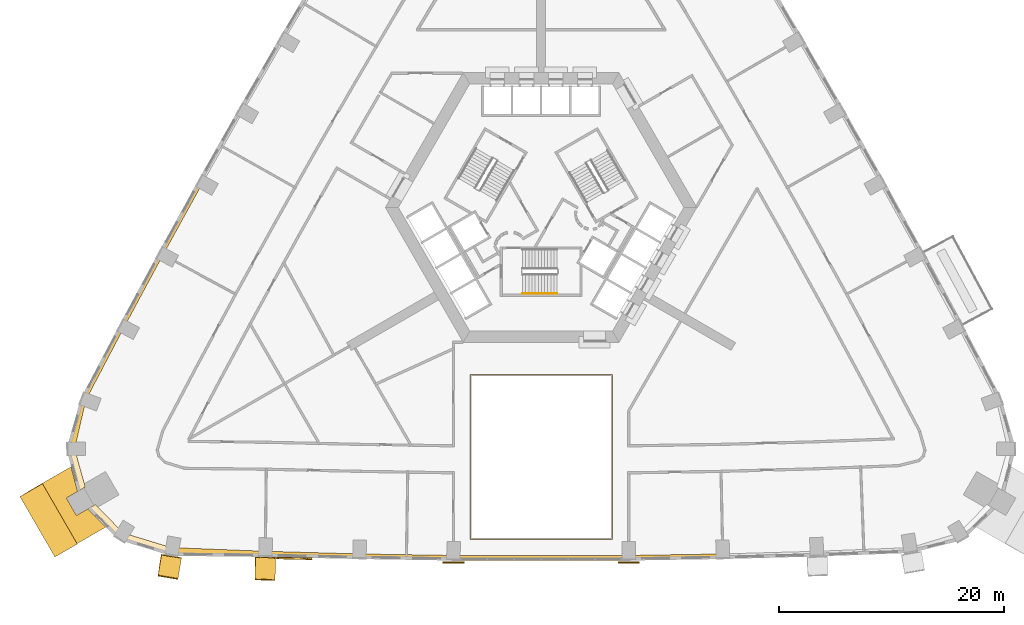
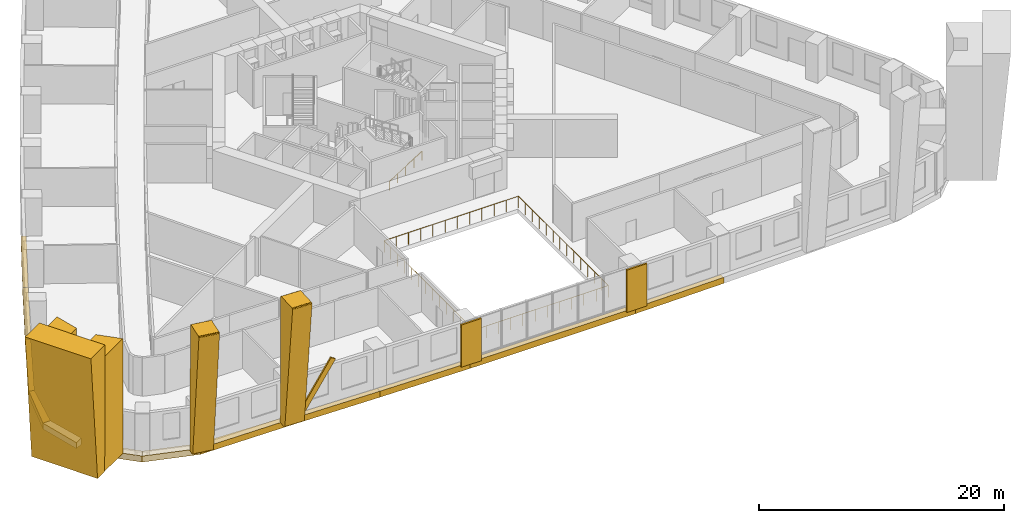
# One storey, part 13 of 16: 18 coverings, 2 railings, 1 shading device.
"""IFC4 building model written with IfcOpenShell, lengths in metres."""

from ifc_helpers import new_model, si_unit, direction, frame, origin, origin_2d, place, context, subcontext, project, spatial, polyline, rectangle, circle, outline, extrude, material, material_profile, profile_set, type_object, element, save


model = new_model("IFC4")

# Units and contexts
model_context = context("Model", 3, precision=1e-05, world=origin(), true_north=direction((0.0, 1.0)))
body_context = subcontext(model_context, "Body", "Model", "MODEL_VIEW")
ifc_project = project(units=[si_unit("LENGTHUNIT", "METRE"), si_unit("AREAUNIT", "SQUARE_METRE"), si_unit("VOLUMEUNIT", "CUBIC_METRE"), si_unit("PLANEANGLEUNIT", "RADIAN"), si_unit("MASSUNIT", "GRAM", prefix="KILO")], contexts=[model_context])

# Site, building, storey
site_placement = place(None, origin())
site = spatial("IfcSite", under=ifc_project, at=site_placement, CompositionType="ELEMENT")
building_placement = place(site_placement, origin())
building = spatial("IfcBuilding", under=site, at=building_placement, Name="Entoto Arch Interchange Tower", CompositionType="ELEMENT")
storey_placement = place(building_placement, frame((0.0, 0.0, 47.60009765625)))
storey = spatial("IfcBuildingStorey", under=building, at=storey_placement, Name="L09", CompositionType="ELEMENT", Elevation=47.60009765625)

# Railing
ifc_material_1 = material(Name="Stainless steel 1.4301", Category="steel")
railing_type_1 = type_object("IfcRailingType", Name="ATRIUM GUARD 1200 STEEL AND GLASS", PredefinedType="GUARDRAIL", material=ifc_material_1)
railing_1_placement = place(storey_placement, frame((6.320068359375, -27.030029296875, 0.0)))
element("IfcRailing", 1, at=railing_1_placement, inside=storey, type_object=railing_type_1, Name="Atrium guard L09", PredefinedType="GUARDRAIL", context=body_context, shape_type="SweptSolid", body=[
    extrude(circle(Radius=0.02392578125, at=origin_2d()), frame((0.0, 0.0, 1.17578125), z_axis=(-1.0, 0.0, 0.0), x_axis=(0.0, -1.0, 0.0)), (0.0, 0.0, 1.0), 12.64013671875),
    extrude(circle(Radius=0.02392578125, at=origin_2d()), frame((-12.64013671875, 0.0, 1.17578125), z_axis=(0.0, 1.0, 0.0), x_axis=(-1.0, 0.0, 0.0)), (0.0, 0.0, 1.0), 14.650146484375),
    extrude(circle(Radius=0.02392578125, at=origin_2d()), frame((-12.64013671875, 14.650146484375, 1.17578125), z_axis=(1.0, 0.0, 0.0), x_axis=(0.0, 1.0, 0.0)), (0.0, 0.0, 1.0), 12.64013671875),
    extrude(circle(Radius=0.02392578125, at=origin_2d()), frame((0.0, 14.650146484375, 1.17578125), z_axis=(0.0, -1.0, 0.0), x_axis=(1.0, 0.0, 0.0)), (0.0, 0.0, 1.0), 14.650146484375),
    extrude(circle(Radius=0.02099609375, at=origin_2d()), origin(), (0.0, 0.0, 1.0), 1.15185546875),
    extrude(circle(Radius=0.02099609375, at=origin_2d()), frame((-1.149169921875, 0.0, 0.0)), (0.0, 0.0, 1.0), 1.15185546875),
    extrude(circle(Radius=0.02099609375, at=origin_2d()), frame((-2.298095703125, 0.0, 0.0)), (0.0, 0.0, 1.0), 1.15185546875),
    extrude(circle(Radius=0.02099609375, at=origin_2d()), frame((-3.447265625, 0.0, 0.0)), (0.0, 0.0, 1.0), 1.15185546875),
    extrude(circle(Radius=0.02099609375, at=origin_2d()), frame((-4.596435546875, 0.0, 0.0)), (0.0, 0.0, 1.0), 1.15185546875),
    extrude(circle(Radius=0.02099609375, at=origin_2d()), frame((-5.74560546875, 0.0, 0.0)), (0.0, 0.0, 1.0), 1.15185546875),
    extrude(circle(Radius=0.02099609375, at=origin_2d()), frame((-6.89453125, 0.0, 0.0)), (0.0, 0.0, 1.0), 1.15185546875),
    extrude(circle(Radius=0.02099609375, at=origin_2d()), frame((-8.043701171875, 0.0, 0.0)), (0.0, 0.0, 1.0), 1.15185546875),
    extrude(circle(Radius=0.02099609375, at=origin_2d()), frame((-9.19287109375, 0.0, 0.0)), (0.0, 0.0, 1.0), 1.15185546875),
    extrude(circle(Radius=0.02099609375, at=origin_2d()), frame((-10.342041015625, 0.0, 0.0)), (0.0, 0.0, 1.0), 1.15185546875),
    extrude(circle(Radius=0.02099609375, at=origin_2d()), frame((-11.490966796875, 0.0, 0.0)), (0.0, 0.0, 1.0), 1.15185546875),
    extrude(circle(Radius=0.02099609375, at=origin_2d()), frame((-12.64013671875, 0.0, 0.0)), (0.0, 0.0, 1.0), 1.15185546875),
    extrude(circle(Radius=0.02099609375, at=origin_2d()), frame((-12.64013671875, 1.126953125, 0.0)), (0.0, 0.0, 1.0), 1.15185546875),
    extrude(circle(Radius=0.02099609375, at=origin_2d()), frame((-12.64013671875, 2.25390625, 0.0)), (0.0, 0.0, 1.0), 1.15185546875),
    extrude(circle(Radius=0.02099609375, at=origin_2d()), frame((-12.64013671875, 3.380859375, 0.0)), (0.0, 0.0, 1.0), 1.15185546875),
    extrude(circle(Radius=0.02099609375, at=origin_2d()), frame((-12.64013671875, 4.5078125, 0.0)), (0.0, 0.0, 1.0), 1.15185546875),
    extrude(circle(Radius=0.02099609375, at=origin_2d()), frame((-12.64013671875, 5.634765625, 0.0)), (0.0, 0.0, 1.0), 1.15185546875),
    extrude(circle(Radius=0.02099609375, at=origin_2d()), frame((-12.64013671875, 6.76171875, 0.0)), (0.0, 0.0, 1.0), 1.15185546875),
    extrude(circle(Radius=0.02099609375, at=origin_2d()), frame((-12.64013671875, 7.888427734375, 0.0)), (0.0, 0.0, 1.0), 1.15185546875),
    extrude(circle(Radius=0.02099609375, at=origin_2d()), frame((-12.64013671875, 9.015380859375, 0.0)), (0.0, 0.0, 1.0), 1.15185546875),
    extrude(circle(Radius=0.02099609375, at=origin_2d()), frame((-12.64013671875, 10.142333984375, 0.0)), (0.0, 0.0, 1.0), 1.15185546875),
    extrude(circle(Radius=0.02099609375, at=origin_2d()), frame((-12.64013671875, 11.269287109375, 0.0)), (0.0, 0.0, 1.0), 1.15185546875),
    extrude(circle(Radius=0.02099609375, at=origin_2d()), frame((-12.64013671875, 12.396240234375, 0.0)), (0.0, 0.0, 1.0), 1.15185546875),
    extrude(circle(Radius=0.02099609375, at=origin_2d()), frame((-12.64013671875, 13.523193359375, 0.0)), (0.0, 0.0, 1.0), 1.15185546875),
    extrude(circle(Radius=0.02099609375, at=origin_2d()), frame((-12.64013671875, 14.650146484375, 0.0)), (0.0, 0.0, 1.0), 1.15185546875),
    extrude(circle(Radius=0.02099609375, at=origin_2d()), frame((-11.490966796875, 14.650146484375, 0.0)), (0.0, 0.0, 1.0), 1.15185546875),
    extrude(circle(Radius=0.02099609375, at=origin_2d()), frame((-10.342041015625, 14.650146484375, 0.0)), (0.0, 0.0, 1.0), 1.15185546875),
    extrude(circle(Radius=0.02099609375, at=origin_2d()), frame((-9.19287109375, 14.650146484375, 0.0)), (0.0, 0.0, 1.0), 1.15185546875),
    extrude(circle(Radius=0.02099609375, at=origin_2d()), frame((-8.043701171875, 14.650146484375, 0.0)), (0.0, 0.0, 1.0), 1.15185546875),
    extrude(circle(Radius=0.02099609375, at=origin_2d()), frame((-6.89453125, 14.650146484375, 0.0)), (0.0, 0.0, 1.0), 1.15185546875),
    extrude(circle(Radius=0.02099609375, at=origin_2d()), frame((-5.74560546875, 14.650146484375, 0.0)), (0.0, 0.0, 1.0), 1.15185546875),
    extrude(circle(Radius=0.02099609375, at=origin_2d()), frame((-4.596435546875, 14.650146484375, 0.0)), (0.0, 0.0, 1.0), 1.15185546875),
    extrude(circle(Radius=0.02099609375, at=origin_2d()), frame((-3.447265625, 14.650146484375, 0.0)), (0.0, 0.0, 1.0), 1.15185546875),
    extrude(circle(Radius=0.02099609375, at=origin_2d()), frame((-2.298095703125, 14.650146484375, 0.0)), (0.0, 0.0, 1.0), 1.15185546875),
    extrude(circle(Radius=0.02099609375, at=origin_2d()), frame((-1.149169921875, 14.650146484375, 0.0)), (0.0, 0.0, 1.0), 1.15185546875),
    extrude(circle(Radius=0.02099609375, at=origin_2d()), frame((0.0, 14.650146484375, 0.0)), (0.0, 0.0, 1.0), 1.15185546875),
    extrude(circle(Radius=0.02099609375, at=origin_2d()), frame((0.0, 13.523193359375, 0.0)), (0.0, 0.0, 1.0), 1.15185546875),
    extrude(circle(Radius=0.02099609375, at=origin_2d()), frame((0.0, 12.396240234375, 0.0)), (0.0, 0.0, 1.0), 1.15185546875),
    extrude(circle(Radius=0.02099609375, at=origin_2d()), frame((0.0, 11.269287109375, 0.0)), (0.0, 0.0, 1.0), 1.15185546875),
    extrude(circle(Radius=0.02099609375, at=origin_2d()), frame((0.0, 10.142333984375, 0.0)), (0.0, 0.0, 1.0), 1.15185546875),
    extrude(circle(Radius=0.02099609375, at=origin_2d()), frame((0.0, 9.015380859375, 0.0)), (0.0, 0.0, 1.0), 1.15185546875),
    extrude(circle(Radius=0.02099609375, at=origin_2d()), frame((0.0, 7.888427734375, 0.0)), (0.0, 0.0, 1.0), 1.15185546875),
    extrude(circle(Radius=0.02099609375, at=origin_2d()), frame((0.0, 6.76171875, 0.0)), (0.0, 0.0, 1.0), 1.15185546875),
    extrude(circle(Radius=0.02099609375, at=origin_2d()), frame((0.0, 5.634765625, 0.0)), (0.0, 0.0, 1.0), 1.15185546875),
    extrude(circle(Radius=0.02099609375, at=origin_2d()), frame((0.0, 4.5078125, 0.0)), (0.0, 0.0, 1.0), 1.15185546875),
    extrude(circle(Radius=0.02099609375, at=origin_2d()), frame((0.0, 3.380859375, 0.0)), (0.0, 0.0, 1.0), 1.15185546875),
    extrude(circle(Radius=0.02099609375, at=origin_2d()), frame((0.0, 2.25390625, 0.0)), (0.0, 0.0, 1.0), 1.15185546875),
    extrude(circle(Radius=0.02099609375, at=origin_2d()), frame((0.0, 1.126953125, 0.0)), (0.0, 0.0, 1.0), 1.15185546875),
])

# Shading device
ifc_material_2 = material(Name="Board-marked precast concrete C50/60", Category="concrete")
ifc_material_profile = material_profile(ifc_material_2, rectangle(XDim=0.14990234375, YDim=0.5, at=origin_2d()))
ifc_profile_set = profile_set([ifc_material_profile], Name="Board-marked precast concrete C50/60")
shading_device_type = type_object("IfcShadingDeviceType", Name="FOLD BAND PRECAST 150x500", PredefinedType="USERDEFINED", material=ifc_profile_set)
shading_device_placement = place(storey_placement, frame((-23.35107421875, -28.69091796875, 0.25), z_axis=(0.550530625864, -0.01232458831, 0.834723987021), x_axis=(0.022381136594, 0.99974951099, 0.0)))
element("IfcShadingDevice", 2, at=shading_device_placement, inside=storey, type_object=shading_device_type, Name="Fold band L09", ObjectType="FOLD BAND", PredefinedType="USERDEFINED", context=body_context, shape_type="SweptSolid", body=[
    extrude(rectangle(XDim=0.14990234375, YDim=0.5, at=origin_2d()), origin(), (0.0, 0.0, 1.0), 5.031494140625),
])

# Coverings
covering_type_1 = type_object("IfcCoveringType", Name="PRECAST FRAME COURSE", PredefinedType="CLADDING", material=ifc_material_2)
covering_1_placement = place(storey_placement, frame((0.0, 0.0, -0.400146484375)))
element("IfcCovering", 3, at=covering_1_placement, inside=storey, type_object=covering_type_1, Name="Corner pilaster SW L09-L11", PredefinedType="CLADDING", context=body_context, shape_type="SweptSolid", body=[
    extrude(outline(polyline([(-41.281982421875, -27.4140625), (-44.382080078125, -22.0439453125), (-41.818115234375, -20.56396484375), (-41.2470703125, -22.77490234375), (-42.241943359375, -23.35009765625), (-41.342041015625, -24.907958984375), (-40.346923828125, -24.333984375), (-38.718017578125, -25.93408203125), (-41.281982421875, -27.4140625)])), origin(), (0.0, 0.0, 1.0), 11.400146484375),
])
covering_2_placement = place(storey_placement, frame((-44.382080078125, -22.0439453125, -0.400146484375), z_axis=(-0.500349144786, 0.865818506059, 0.00300796912), x_axis=(-0.865822422357, -0.500351409455, 4.23993e-07)))
element("IfcCovering", 4, at=covering_2_placement, inside=storey, type_object=covering_type_1, Name="Corner rib SW L09-L11", PredefinedType="CLADDING", context=body_context, shape_type="SweptSolid", body=[
    extrude(outline(polyline([(0.0, 0.0), (1.1629612866067285, 0.0), (2.3087284389672402, 12.600153679823093), (8.5873092661276e-06, 12.600155151798758), (0.0, 0.0)])), origin(), (0.0, 0.0, -1.0), 6.199951171875),
])
covering_3_placement = place(storey_placement, frame((-33.822998046875, -28.493896484375, -0.400146484375), z_axis=(-0.98604092561, 0.16647651399, 0.002977131504), x_axis=(0.165933271354, 0.981031023514, 0.100221157252)))
element("IfcCovering", 5, at=covering_3_placement, inside=storey, type_object=covering_type_1, Name="Fold rib S01 L09-L11", PredefinedType="CLADDING", context=body_context, shape_type="SweptSolid", body=[
    extrude(outline(polyline([(0.0, 0.0), (0.029203917725423377, 0.0), (0.058405691307420966, -0.005157056836643945), (0.0850650313821613, -0.016705444793536046), (0.11022912046171598, -0.033062381026400384), (0.13068595810750566, -0.05431505881678673), (0.14749521303997387, -0.0786303394009186), (0.15813538855801176, -0.10577567911228652), (0.1643227552826525, -0.13435335527702558), (1.3975902940039284, -12.3874423006918), (1.3918168648042022, -12.43023045104908), (1.3802317920016767, -12.457404715842609), (1.3633883815643333, -12.48241279598585), (1.3432304317928323, -12.503339455439427), (1.3181713275218885, -12.520093262172773), (1.2768445696617914, -12.534317177586528), (-0.4254831728730264, -12.70578955317521), (-0.45516721953636385, -12.702645160044952), (-0.48350201641821555, -12.694459389219903), (-0.5094151058284211, -12.681117000780066), (-0.5316452725052012, -12.662255298782608), (-0.5504997547504442, -12.638879527619475), (-0.5642932580528657, -12.613277393249694), (-0.5731152295769821, -12.584966435309115), (-0.5761248004612693, -12.555088464137516), (-0.4952520572890317, -0.18459744481949636), (-0.48835854577009835, -0.14169886479585408), (-0.46917553431131254, -0.10148530045358069), (-0.4394347310076242, -0.06953725463313425), (-0.40228895928264286, -0.046654310502373515), (-0.3595721633655516, -0.03621661169382243), (0.0, 0.0)])), origin(), (0.0, 0.0, -1.0), 1.800048828125),
])
covering_4_placement = place(storey_placement, frame((-25.445068359375, -28.708984375, -0.400146484375), z_axis=(-0.999432601635, 0.033545607555, 0.00302770593), x_axis=(0.033681083339, 0.994709914764, 0.097045196145)))
element("IfcCovering", 6, at=covering_4_placement, inside=storey, type_object=covering_type_1, Name="Fold rib S02 L09-L11", PredefinedType="CLADDING", context=body_context, shape_type="SweptSolid", body=[
    extrude(outline(polyline([(0.0, 0.0), (0.030187643115990724, 0.0), (0.058930039601349106, -0.005292363196376751), (0.0860873339758883, -0.01687268281175509), (0.109800980647104, -0.03344908385700167), (0.13102690626203017, -0.05468370315866765), (0.14738072851127976, -0.07908920585215021), (0.15815229811021664, -0.10625025394413538), (0.16388591561959642, -0.13488127537112085), (1.358290688131681, -12.391819791879167), (1.35240901509252, -12.434585451104534), (1.341045148226418, -12.461693462455532), (1.3243537225140545, -12.486626163800835), (1.3033173513670735, -12.507564600518512), (1.2786737810944355, -12.524194435034818), (1.2378422438310412, -12.538234256320235), (-0.573439283470816, -12.714844889093323), (-0.6028687642592303, -12.712563188221594), (-0.6310188471408928, -12.703288214096673), (-0.6573623709174388, -12.689912108402005), (-0.6793464588599412, -12.670959189972065), (-0.698819133071314, -12.647591040436682), (-0.712353536816513, -12.621929139600413), (-0.7200299471281666, -12.593487751199355), (-0.7228493754341356, -12.564572280233477), (-0.660087172366836, -0.20001398144376437), (-0.6533288736258984, -0.15618155710153891), (-0.6419650067597963, -0.12907354575054003), (-0.6251788103480724, -0.10511279300913172), (-0.5926870717572417, -0.0759425225011677), (-0.5532833624629402, -0.05689449001070968), (-0.5248785890445324, -0.05118131902854439), (0.0, 0.0)])), origin(), (0.0, 0.0, -1.0), 1.800048828125),
])
covering_5_placement = place(storey_placement, frame((0.0, 0.0, -0.400146484375)))
element("IfcCovering", 7, at=covering_5_placement, inside=storey, type_object=covering_type_1, Name="Gate pier L09", PredefinedType="CLADDING", context=body_context, shape_type="SweptSolid", body=[
    extrude(outline(polyline([(-8.742919921875, -29.0009765625), (-6.843017578125, -29.0009765625), (-6.843017578125, -29.159912109375), (-8.742919921875, -29.159912109375), (-8.742919921875, -29.0009765625)])), origin(), (0.0, 0.0, 1.0), 4.199951171875),
])
covering_6_placement = place(storey_placement, frame((0.0, 0.0, -0.400146484375)))
element("IfcCovering", 8, at=covering_6_placement, inside=storey, type_object=covering_type_1, Name="Gate pier L09", PredefinedType="CLADDING", context=body_context, shape_type="SweptSolid", body=[
    extrude(outline(polyline([(6.843017578125, -29.0009765625), (8.742919921875, -29.0009765625), (8.742919921875, -29.159912109375), (6.843017578125, -29.159912109375), (6.843017578125, -29.0009765625)])), origin(), (0.0, 0.0, 1.0), 4.199951171875),
])
covering_type_2 = type_object("IfcCoveringType", Name="PRECAST LEDGE COURSE", PredefinedType="CLADDING", material=ifc_material_2)
covering_7_placement = place(storey_placement, frame((0.0, 0.0, -1.0)))
element("IfcCovering", 9, at=covering_7_placement, inside=storey, type_object=covering_type_2, Name="Precast course S-01 L09", PredefinedType="CLADDING", context=body_context, shape_type="SweptSolid", body=[
    extrude(outline(polyline([(-24.5400390625, -28.0869140625), (-24.5400390625, -28.589111328125), (-32.910888671875, -28.49609375), (-32.910888671875, -27.758056640625), (-24.5400390625, -28.0869140625)])), origin(), (0.0, 0.0, 1.0), 0.599853515625),
])
covering_8_placement = place(storey_placement, frame((0.0, 0.0, -1.0)))
element("IfcCovering", 10, at=covering_8_placement, inside=storey, type_object=covering_type_2, Name="Precast course S-02 L09", PredefinedType="CLADDING", context=body_context, shape_type="SweptSolid", body=[
    extrude(outline(polyline([(-16.169921875, -28.321044921875), (-16.169921875, -28.777099609375), (-24.5400390625, -28.589111328125), (-24.5400390625, -28.0869140625), (-16.169921875, -28.321044921875)])), origin(), (0.0, 0.0, 1.0), 0.599853515625),
])
covering_9_placement = place(storey_placement, frame((0.0, 0.0, -1.0)))
element("IfcCovering", 11, at=covering_9_placement, inside=storey, type_object=covering_type_2, Name="Precast course S-03 L09", PredefinedType="CLADDING", context=body_context, shape_type="SweptSolid", body=[
    extrude(outline(polyline([(-7.800048828125, -28.4580078125), (-7.800048828125, -28.909912109375), (-16.169921875, -28.777099609375), (-16.169921875, -28.321044921875), (-7.800048828125, -28.4580078125)])), origin(), (0.0, 0.0, 1.0), 0.599853515625),
])
covering_10_placement = place(storey_placement, frame((0.0, 0.0, -1.0)))
element("IfcCovering", 12, at=covering_10_placement, inside=storey, type_object=covering_type_2, Name="Precast course S-04 L09", PredefinedType="CLADDING", context=body_context, shape_type="SweptSolid", body=[
    extrude(outline(polyline([(7.800048828125, -28.4580078125), (7.800048828125, -28.909912109375), (-7.800048828125, -28.909912109375), (-7.800048828125, -28.4580078125), (7.800048828125, -28.4580078125)])), origin(), (0.0, 0.0, 1.0), 0.599853515625),
])
covering_11_placement = place(storey_placement, frame((0.0, 0.0, -1.0)))
element("IfcCovering", 13, at=covering_11_placement, inside=storey, type_object=covering_type_2, Name="Precast course S-05 L09", PredefinedType="CLADDING", context=body_context, shape_type="SweptSolid", body=[
    extrude(outline(polyline([(16.169921875, -28.321044921875), (16.169921875, -28.777099609375), (7.800048828125, -28.909912109375), (7.800048828125, -28.4580078125), (16.169921875, -28.321044921875)])), origin(), (0.0, 0.0, 1.0), 0.599853515625),
])
covering_12_placement = place(storey_placement, frame((0.0, 0.0, -1.0)))
element("IfcCovering", 14, at=covering_12_placement, inside=storey, type_object=covering_type_2, Name="Precast course NW-07 L09", PredefinedType="CLADDING", context=body_context, shape_type="SweptSolid", body=[
    extrude(outline(polyline([(-33.626953125, -1.701904296875), (-34.028076171875, -1.48291015625), (-30.491943359375, 4.925048828125), (-30.096923828125, 4.705078125), (-33.626953125, -1.701904296875)])), origin(), (0.0, 0.0, 1.0), 0.599853515625),
])
covering_13_placement = place(storey_placement, frame((0.0, 0.0, -1.0)))
element("IfcCovering", 15, at=covering_13_placement, inside=storey, type_object=covering_type_2, Name="Precast course NW-08 L09", PredefinedType="CLADDING", context=body_context, shape_type="SweptSolid", body=[
    extrude(outline(polyline([(-37.093017578125, -8.14501953125), (-37.5029296875, -7.927001953125), (-34.028076171875, -1.48291015625), (-33.626953125, -1.701904296875), (-37.093017578125, -8.14501953125)])), origin(), (0.0, 0.0, 1.0), 0.599853515625),
])
covering_14_placement = place(storey_placement, frame((0.0, 0.0, -1.0)))
element("IfcCovering", 16, at=covering_14_placement, inside=storey, type_object=covering_type_2, Name="Precast course NW-09 L09", PredefinedType="CLADDING", context=body_context, shape_type="SweptSolid", body=[
    extrude(outline(polyline([(-40.493896484375, -14.623046875), (-40.94091796875, -14.45703125), (-37.5029296875, -7.927001953125), (-37.093017578125, -8.14501953125), (-40.493896484375, -14.623046875)])), origin(), (0.0, 0.0, 1.0), 0.599853515625),
])
covering_15_placement = place(storey_placement, frame((0.0, 0.0, -1.0)))
element("IfcCovering", 17, at=covering_15_placement, inside=storey, type_object=covering_type_2, Name="Precast course SW-01 L09", PredefinedType="CLADDING", context=body_context, shape_type="SweptSolid", body=[
    extrude(outline(polyline([(-41.5029296875, -18.969970703125), (-42.22607421875, -18.986083984375), (-40.94091796875, -14.45703125), (-40.493896484375, -14.623046875), (-41.5029296875, -18.969970703125)])), origin(), (0.0, 0.0, 1.0), 0.599853515625),
])
covering_16_placement = place(storey_placement, frame((0.0, 0.0, -1.0)))
element("IfcCovering", 18, at=covering_16_placement, inside=storey, type_object=covering_type_2, Name="Precast course SW-02 L09", PredefinedType="CLADDING", context=body_context, shape_type="SweptSolid", body=[
    extrude(outline(polyline([(-40.550048828125, -22.3720703125), (-41.2470703125, -22.77490234375), (-42.22607421875, -18.986083984375), (-41.5029296875, -18.969970703125), (-40.550048828125, -22.3720703125)])), origin(), (0.0, 0.0, 1.0), 0.599853515625),
])
covering_17_placement = place(storey_placement, frame((0.0, 0.0, -1.0)))
element("IfcCovering", 19, at=covering_17_placement, inside=storey, type_object=covering_type_2, Name="Precast course SW-03 L09", PredefinedType="CLADDING", context=body_context, shape_type="SweptSolid", body=[
    extrude(outline(polyline([(-37.178955078125, -26.45703125), (-37.554931640625, -27.075927734375), (-40.346923828125, -24.333984375), (-39.64892578125, -23.930908203125), (-37.178955078125, -26.45703125)])), origin(), (0.0, 0.0, 1.0), 0.599853515625),
])
covering_18_placement = place(storey_placement, frame((0.0, 0.0, -1.0)))
element("IfcCovering", 20, at=covering_18_placement, inside=storey, type_object=covering_type_2, Name="Precast course SW-04 L09", PredefinedType="CLADDING", context=body_context, shape_type="SweptSolid", body=[
    extrude(outline(polyline([(-32.910888671875, -27.758056640625), (-32.910888671875, -28.49609375), (-37.554931640625, -27.075927734375), (-37.178955078125, -26.45703125), (-32.910888671875, -27.758056640625)])), origin(), (0.0, 0.0, 1.0), 0.599853515625),
])

# Railing
railing_type_2 = type_object("IfcRailingType", Name="STAIR HANDRAIL 900 STEEL", PredefinedType="HANDRAIL", material=ifc_material_1)
railing_2_placement = place(storey_placement, frame((-1.64990234375, -5.14990234375, 0.1748046875)))
element("IfcRailing", 21, at=railing_2_placement, inside=storey, type_object=railing_type_2, Name="L09 ST-S stair handrail 1", PredefinedType="HANDRAIL", context=body_context, shape_type="SweptSolid", body=[
    extrude(circle(Radius=0.02392578125, at=origin_2d()), frame((0.0, 0.0, 0.8759765625), z_axis=(0.847979421464, 0.0, 0.530029150871), x_axis=(0.0, 1.0, 0.0)), (0.0, 0.0, 1.0), 3.632080078125),
    extrude(circle(Radius=0.02099609375, at=origin_2d()), origin(), (0.0, 0.0, 1.0), 0.851806640625),
    extrude(circle(Radius=0.02099609375, at=origin_2d()), frame((0.77001953125, 0.0, 0.481201171875)), (0.0, 0.0, 1.0), 0.851806640625),
    extrude(circle(Radius=0.02099609375, at=origin_2d()), frame((1.5400390625, 0.0, 0.96240234375)), (0.0, 0.0, 1.0), 0.851806640625),
    extrude(circle(Radius=0.02099609375, at=origin_2d()), frame((2.309814453125, 0.0, 1.44384765625)), (0.0, 0.0, 1.0), 0.851806640625),
    extrude(circle(Radius=0.02099609375, at=origin_2d()), frame((3.079833984375, 0.0, 1.925048828125)), (0.0, 0.0, 1.0), 0.851806640625),
])

save(model, "model.ifc")
